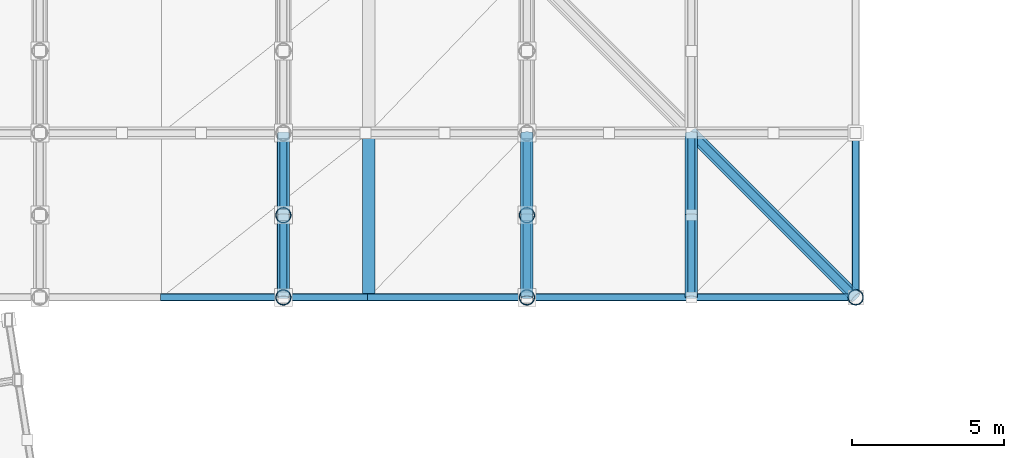
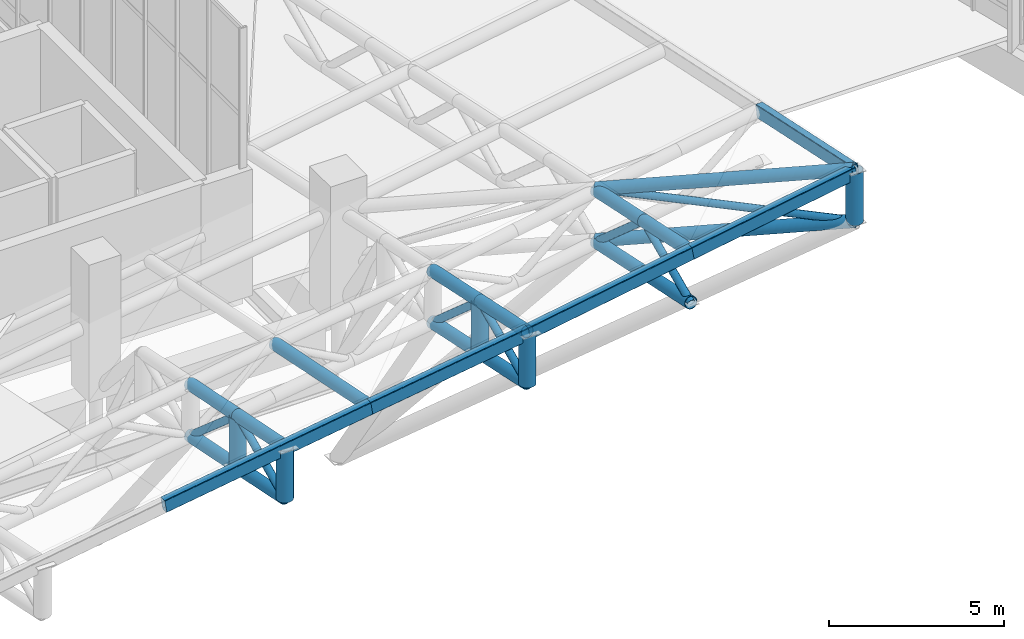
# One storey, part 58 of 137: 28 members, 5 beams.
"""IFC4 building model written with IfcOpenShell, lengths in metres."""

from ifc_helpers import new_model, si_unit, direction, frame, origin, origin_2d, place, context, subcontext, project, spatial, hollow_rectangle, hollow_circle, extrude, material, material_profile, profile_set, type_object, element, save


model = new_model("IFC4")

# Units and contexts
model_context = context("Model", 3, precision=1e-05, world=origin(), true_north=direction((0.0, 1.0)))
body_context = subcontext(model_context, "Body", "Model", "MODEL_VIEW")
ifc_project = project(units=[si_unit("LENGTHUNIT", "METRE"), si_unit("AREAUNIT", "SQUARE_METRE"), si_unit("VOLUMEUNIT", "CUBIC_METRE"), si_unit("PLANEANGLEUNIT", "RADIAN"), si_unit("MASSUNIT", "GRAM", prefix="KILO")], contexts=[model_context])

# Site, building, storey
site_placement = place(None, origin())
site = spatial("IfcSite", under=ifc_project, at=site_placement, CompositionType="ELEMENT")
building_placement = place(site_placement, origin())
building = spatial("IfcBuilding", under=site, at=building_placement, Name="Khorjan Park Terminus", CompositionType="ELEMENT")
storey_placement = place(building_placement, frame((0.0, 0.0, 11.4)))
storey = spatial("IfcBuildingStorey", under=building, at=storey_placement, Name="L02", CompositionType="ELEMENT", Elevation=11.4)

# Members
ifc_material = material(Name="Steel S355", Category="steel")
ifc_material_profile_1 = material_profile(ifc_material, hollow_circle(Radius=0.1222, WallThickness=0.0125, at=origin_2d()), Name="CHS 244.5x12.5")
ifc_profile_set_1 = profile_set([ifc_material_profile_1], Name="Steel S355")
member_type_1 = type_object("IfcMemberType", Name="MB-BRE-245", PredefinedType="BRACE", material=ifc_profile_set_1)
member_1_placement = place(storey_placement, frame((128.0, 15.2, 2.7325), z_axis=(0.0, 0.907595020085, 0.419846733365), x_axis=(-1.0, 0.0, 0.0)))
element("IfcMember", 1, at=member_1_placement, inside=storey, type_object=member_type_1, Name="Lower shell cantilever truss diagonal (11S)", PredefinedType="BRACE", context=body_context, shape_type="SweptSolid", body=[
    extrude(hollow_circle(Radius=0.1222, WallThickness=0.0125, at=origin_2d()), origin(), (0.0, 0.0, 1.0), 2.9749),
])
member_2_placement = place(storey_placement, frame((128.0, 17.9, 3.9815), z_axis=(0.0, 0.755245900469, -0.655441553325), x_axis=(-1.0, 0.0, 0.0)))
element("IfcMember", 2, at=member_2_placement, inside=storey, type_object=member_type_1, Name="Lower shell cantilever truss diagonal (11S)", PredefinedType="BRACE", context=body_context, shape_type="SweptSolid", body=[
    extrude(hollow_circle(Radius=0.1222, WallThickness=0.0125, at=origin_2d()), origin(), (0.0, 0.0, 1.0), 3.575),
])
member_3_placement = place(storey_placement, frame((136.0, 15.2, 3.9399), z_axis=(0.0, 0.910426516303, 0.413670833408), x_axis=(-1.0, 0.0, 0.0)))
element("IfcMember", 3, at=member_3_placement, inside=storey, type_object=member_type_1, Name="Lower shell cantilever truss diagonal (12S)", PredefinedType="BRACE", context=body_context, shape_type="SweptSolid", body=[
    extrude(hollow_circle(Radius=0.1222, WallThickness=0.0125, at=origin_2d()), origin(), (0.0, 0.0, 1.0), 2.9656),
])
member_4_placement = place(storey_placement, frame((136.0, 17.9, 5.1667), z_axis=(0.0, 0.751099687052, -0.660188806411), x_axis=(-1.0, 0.0, 0.0)))
element("IfcMember", 4, at=member_4_placement, inside=storey, type_object=member_type_1, Name="Lower shell cantilever truss diagonal (12S)", PredefinedType="BRACE", context=body_context, shape_type="SweptSolid", body=[
    extrude(hollow_circle(Radius=0.1222, WallThickness=0.0125, at=origin_2d()), origin(), (0.0, 0.0, 1.0), 3.5947),
])
member_5_placement = place(storey_placement, frame((141.4, 15.2, 4.8559), z_axis=(0.0, 0.910413816718, 0.413698782123), x_axis=(-1.0, 0.0, 0.0)))
element("IfcMember", 5, at=member_5_placement, inside=storey, type_object=member_type_1, Name="Lower shell mid-ring diagonal (E1)", PredefinedType="BRACE", context=body_context, shape_type="SweptSolid", body=[
    extrude(hollow_circle(Radius=0.1222, WallThickness=0.0125, at=origin_2d()), origin(), (0.0, 0.0, 1.0), 2.9657),
])
member_6_placement = place(storey_placement, frame((141.4, 17.9, 6.0828), z_axis=(0.0, 0.751099687052, -0.660188806411), x_axis=(-1.0, 0.0, 0.0)))
element("IfcMember", 6, at=member_6_placement, inside=storey, type_object=member_type_1, Name="Lower shell mid-ring diagonal (E2)", PredefinedType="BRACE", context=body_context, shape_type="SweptSolid", body=[
    extrude(hollow_circle(Radius=0.1222, WallThickness=0.0125, at=origin_2d()), origin(), (0.0, 0.0, 1.0), 3.5947),
])
member_7_placement = place(storey_placement, frame((141.4, 20.6, 5.5576), z_axis=(0.706689738214, -0.706689738214, 0.034339886538), x_axis=(0.707106781187, 0.707106781187, 0.0)))
element("IfcMember", 7, at=member_7_placement, inside=storey, type_object=member_type_1, Name="Lower shell upturned corner truss TBE-24 (SE)", PredefinedType="BRACE", context=body_context, shape_type="SweptSolid", body=[
    extrude(hollow_circle(Radius=0.1222, WallThickness=0.0125, at=origin_2d()), origin(), (0.0, 0.0, 1.0), 7.6413),
])
ifc_material_profile_2 = material_profile(ifc_material, hollow_circle(Radius=0.2032, WallThickness=0.016, at=origin_2d()), Name="CHS 406.4x16")
ifc_profile_set_2 = profile_set([ifc_material_profile_2], Name="Steel S355")
member_type_2 = type_object("IfcMemberType", Name="MB-CHE-406", PredefinedType="CHORD", material=ifc_profile_set_2)
member_8_placement = place(storey_placement, frame((130.8, 15.2, 4.9627), z_axis=(0.0, 0.979805509738, -0.199952902172), x_axis=(-1.0, 0.0, 0.0)))
element("IfcMember", 8, at=member_8_placement, inside=storey, type_object=member_type_2, Name="Lower wrapping shell rim chord (138)", PredefinedType="CHORD", context=body_context, shape_type="SweptSolid", body=[
    extrude(hollow_circle(Radius=0.2032, WallThickness=0.016, at=origin_2d()), origin(), (0.0, 0.0, 1.0), 5.5113),
])
member_9_placement = place(storey_placement, frame((136.0, 15.2, 5.7399), z_axis=(0.0, 0.978199346233, -0.207668098245), x_axis=(-1.0, 0.0, 0.0)))
element("IfcMember", 9, at=member_9_placement, inside=storey, type_object=member_type_2, Name="Lower wrapping shell rim chord (150)", PredefinedType="CHORD", context=body_context, shape_type="SweptSolid", body=[
    extrude(hollow_circle(Radius=0.2032, WallThickness=0.016, at=origin_2d()), origin(), (0.0, 0.0, 1.0), 5.5203),
])
for number, where, z_axis, x_axis, name in (
    (10, (128.0, 15.2, 4.5325), (0.0, 0.979805509738, -0.199952902172), (-1.0, 0.0, 0.0), "Lower shell cantilever truss top chord (11S)"),
    (11, (128.0, 15.2, 2.7325), (0.0, 0.979805509738, -0.199952902172), (-1.0, 0.0, 0.0), "Lower shell cantilever truss bottom chord (11S)"),
):
    element("IfcMember", number, at=place(storey_placement, frame(where, z_axis=z_axis, x_axis=x_axis)), inside=storey, type_object=member_type_2, Name=name, PredefinedType="CHORD", context=body_context, shape_type="SweptSolid", body=[
        extrude(hollow_circle(Radius=0.2032, WallThickness=0.016, at=origin_2d()), origin(), (0.0, 0.0, 1.0), 2.7556),
    ])
for number, where, z_axis, x_axis, name in (
    (12, (128.0, 17.9, 3.9815), (0.0, 0.980356596147, -0.197233223343), (-1.0, 0.0, 0.0), "Lower shell cantilever truss top chord (11S)"),
    (13, (128.0, 17.9, 2.1815), (0.0, 0.980356596147, -0.197233223343), (-1.0, 0.0, 0.0), "Lower shell cantilever truss bottom chord (11S)"),
):
    element("IfcMember", number, at=place(storey_placement, frame(where, z_axis=z_axis, x_axis=x_axis)), inside=storey, type_object=member_type_2, Name=name, PredefinedType="CHORD", context=body_context, shape_type="SweptSolid", body=[
        extrude(hollow_circle(Radius=0.2032, WallThickness=0.016, at=origin_2d()), origin(), (0.0, 0.0, 1.0), 2.7541),
    ])
for number, where, z_axis, x_axis, name in (
    (14, (136.0, 15.2, 5.7399), (0.0, 0.978199346233, -0.207668098245), (-1.0, 0.0, 0.0), "Lower shell cantilever truss top chord (12S)"),
    (15, (136.0, 15.2, 3.9399), (0.0, 0.978199346233, -0.207668098245), (-1.0, 0.0, 0.0), "Lower shell cantilever truss bottom chord (12S)"),
    (16, (136.0, 17.9, 5.1667), (0.0, 0.978199346233, -0.207668098245), (-1.0, 0.0, 0.0), "Lower shell cantilever truss top chord (12S)"),
    (17, (136.0, 17.9, 3.3667), (0.0, 0.978199346233, -0.207668098245), (-1.0, 0.0, 0.0), "Lower shell cantilever truss bottom chord (12S)"),
    (18, (141.4, 15.2, 6.6559), (0.0, 0.978206705385, -0.207633430688), (-1.0, 0.0, 0.0), "Lower shell mid-ring top chord (E1)"),
    (19, (141.4, 15.2, 4.8559), (0.0, 0.978206705385, -0.207633430688), (-1.0, 0.0, 0.0), "Lower shell mid-ring bottom chord (E1)"),
    (20, (141.4, 17.9, 6.0828), (0.0, 0.978199346233, -0.207668098245), (-1.0, 0.0, 0.0), "Lower shell mid-ring top chord (E2)"),
    (21, (141.4, 17.9, 4.2828), (0.0, 0.978199346233, -0.207668098245), (-1.0, 0.0, 0.0), "Lower shell mid-ring bottom chord (E2)"),
):
    element("IfcMember", number, at=place(storey_placement, frame(where, z_axis=z_axis, x_axis=x_axis)), inside=storey, type_object=member_type_2, Name=name, PredefinedType="CHORD", context=body_context, shape_type="SweptSolid", body=[
        extrude(hollow_circle(Radius=0.2032, WallThickness=0.016, at=origin_2d()), origin(), (0.0, 0.0, 1.0), 2.7602),
    ])
for number, where, z_axis, x_axis, name in (
    (22, (141.4, 20.6, 5.5576), (0.682650727968, -0.682650727968, 0.260722011363), (0.707106781187, 0.707106781187, 0.0), "Lower shell upturned corner truss TCE-41 (SE)"),
    (23, (141.4, 20.6, 3.7576), (0.682650727968, -0.682650727968, 0.260722011363), (0.707106781187, 0.707106781187, 0.0), "Lower shell upturned corner truss TCE-41 (SE)"),
):
    element("IfcMember", number, at=place(storey_placement, frame(where, z_axis=z_axis, x_axis=x_axis)), inside=storey, type_object=member_type_2, Name=name, PredefinedType="CHORD", context=body_context, shape_type="SweptSolid", body=[
        extrude(hollow_circle(Radius=0.2032, WallThickness=0.016, at=origin_2d()), origin(), (0.0, 0.0, 1.0), 7.9103),
    ])
ifc_material_profile_3 = material_profile(ifc_material, hollow_circle(Radius=0.254, WallThickness=0.02, at=origin_2d()), Name="CHS 508x20")
ifc_profile_set_3 = profile_set([ifc_material_profile_3], Name="Steel S355")
member_type_3 = type_object("IfcMemberType", Name="MB-STE-508", PredefinedType="STRUT", material=ifc_profile_set_3)
for number, where, z_axis, x_axis, name in (
    (24, (128.0, 15.2, 2.7325), (0.0, 0.0, 1.0), (1.0, 0.0, 0.0), "Lower shell cantilever truss post (11S)"),
    (25, (128.0, 17.9, 2.1815), (0.0, 0.0, 1.0), (1.0, 0.0, 0.0), "Lower shell cantilever truss post (11S)"),
    (26, (136.0, 15.2, 3.9399), (0.0, 0.0, 1.0), (1.0, 0.0, 0.0), "Lower shell cantilever truss post (12S)"),
    (27, (136.0, 17.9, 3.3667), (0.0, 0.0, 1.0), (1.0, 0.0, 0.0), "Lower shell cantilever truss post (12S)"),
    (28, (146.8, 15.2, 5.82), (0.0, 0.0, 1.0), (1.0, 0.0, 0.0), "Lower shell upturned corner tip post (SE)"),
):
    element("IfcMember", number, at=place(storey_placement, frame(where, z_axis=z_axis, x_axis=x_axis)), inside=storey, type_object=member_type_3, Name=name, PredefinedType="STRUT", context=body_context, shape_type="SweptSolid", body=[
        extrude(hollow_circle(Radius=0.254, WallThickness=0.02, at=origin_2d()), origin(), (0.0, 0.0, 1.0), 1.8),
    ])

# Beams
ifc_material_profile_4 = material_profile(ifc_material, hollow_rectangle(XDim=0.25, YDim=0.45, WallThickness=0.016, InnerFilletRadius=0.016, OuterFilletRadius=0.032, at=origin_2d()), Name="RHS 450x250x16")
ifc_profile_set_4 = profile_set([ifc_material_profile_4], Name="Steel S355")
beam_type = type_object("IfcBeamType", Name="SP-RHS450", PredefinedType="SPANDREL", material=ifc_profile_set_4)
beam_1_placement = place(storey_placement, frame((124.0, 15.2, 3.8959), z_axis=(0.988401253696, 0.0, 0.151864945568), x_axis=(0.0, 1.0, 0.0)))
element("IfcBeam", 29, at=beam_1_placement, inside=storey, type_object=beam_type, Name="Lower wrapping shell upturned edge beam SP-R45 (13)", PredefinedType="SPANDREL", context=body_context, shape_type="SweptSolid", body=[
    extrude(hollow_rectangle(XDim=0.25, YDim=0.45, WallThickness=0.016, InnerFilletRadius=0.016, OuterFilletRadius=0.032, at=origin_2d()), origin(), (0.0, 0.0, 1.0), 6.8798),
])
beam_2_placement = place(storey_placement, frame((130.8, 15.2, 4.9407), z_axis=(0.989014339855, 0.0, 0.147819604795), x_axis=(0.0, 1.0, 0.0)))
element("IfcBeam", 30, at=beam_2_placement, inside=storey, type_object=beam_type, Name="Lower wrapping shell upturned edge beam SP-R45 (14)", PredefinedType="SPANDREL", context=body_context, shape_type="SweptSolid", body=[
    extrude(hollow_rectangle(XDim=0.25, YDim=0.45, WallThickness=0.016, InnerFilletRadius=0.016, OuterFilletRadius=0.032, at=origin_2d()), origin(), (0.0, 0.0, 1.0), 5.2578),
])
beam_3_placement = place(storey_placement, frame((136.0, 15.2, 5.7179), z_axis=(0.985916115378, 0.0, 0.167240585497), x_axis=(0.0, 1.0, 0.0)))
element("IfcBeam", 31, at=beam_3_placement, inside=storey, type_object=beam_type, Name="Lower wrapping shell upturned edge beam SP-R45 (15)", PredefinedType="SPANDREL", context=body_context, shape_type="SweptSolid", body=[
    extrude(hollow_rectangle(XDim=0.25, YDim=0.45, WallThickness=0.016, InnerFilletRadius=0.016, OuterFilletRadius=0.032, at=origin_2d()), origin(), (0.0, 0.0, 1.0), 5.4771),
])
beam_4_placement = place(storey_placement, frame((141.4, 15.2, 6.6339), z_axis=(0.985913104802, 0.0, 0.167258332465), x_axis=(0.0, 1.0, 0.0)))
element("IfcBeam", 32, at=beam_4_placement, inside=storey, type_object=beam_type, Name="Lower wrapping shell upturned edge beam SP-R45 (16)", PredefinedType="SPANDREL", context=body_context, shape_type="SweptSolid", body=[
    extrude(hollow_rectangle(XDim=0.25, YDim=0.45, WallThickness=0.016, InnerFilletRadius=0.016, OuterFilletRadius=0.032, at=origin_2d()), origin(), (0.0, 0.0, 1.0), 5.4772),
])
beam_5_placement = place(storey_placement, frame((146.8, 15.2, 7.55), z_axis=(0.0, 0.978199346233, -0.207668098245), x_axis=(-1.0, 0.0, 0.0)))
element("IfcBeam", 33, at=beam_5_placement, inside=storey, type_object=beam_type, Name="Lower wrapping shell upturned edge beam SP-R45 (45)", PredefinedType="SPANDREL", context=body_context, shape_type="SweptSolid", body=[
    extrude(hollow_rectangle(XDim=0.25, YDim=0.45, WallThickness=0.016, InnerFilletRadius=0.016, OuterFilletRadius=0.032, at=origin_2d()), origin(), (0.0, 0.0, 1.0), 5.5203),
])

save(model, "model.ifc")
